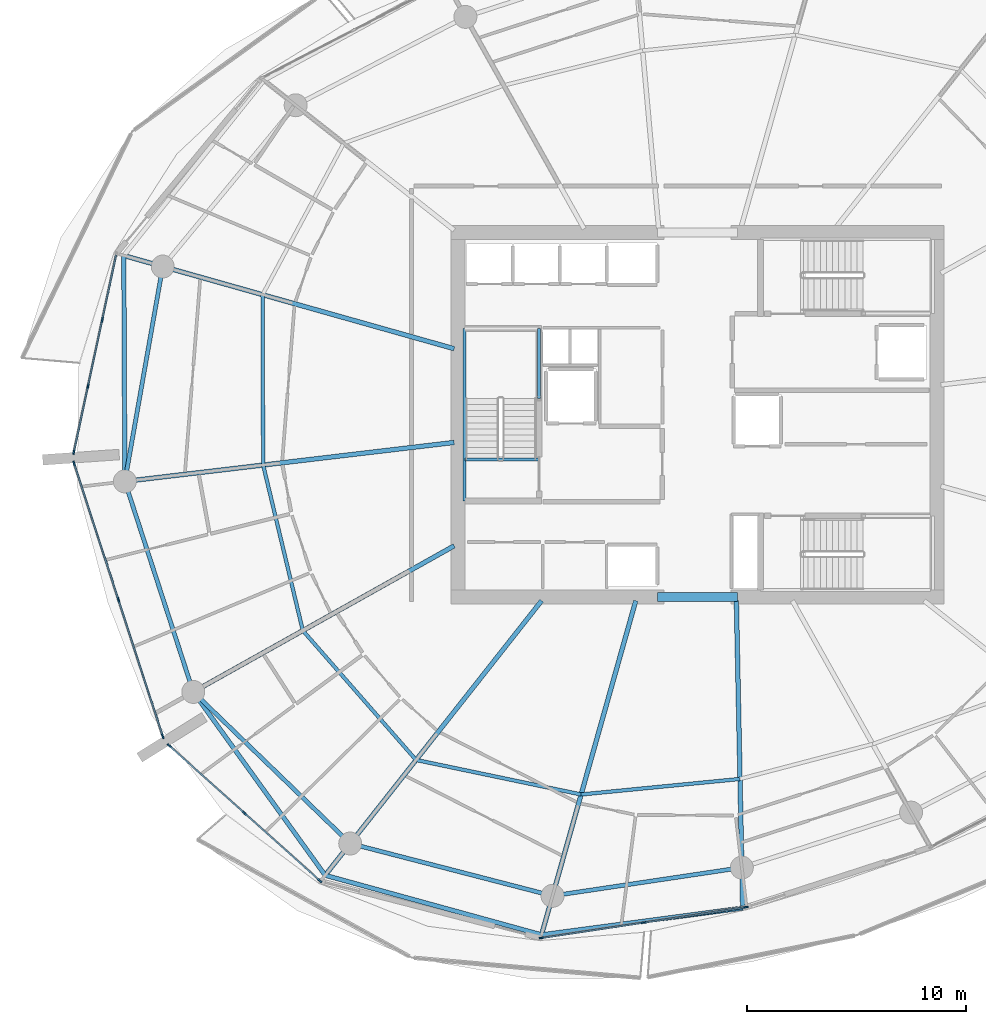
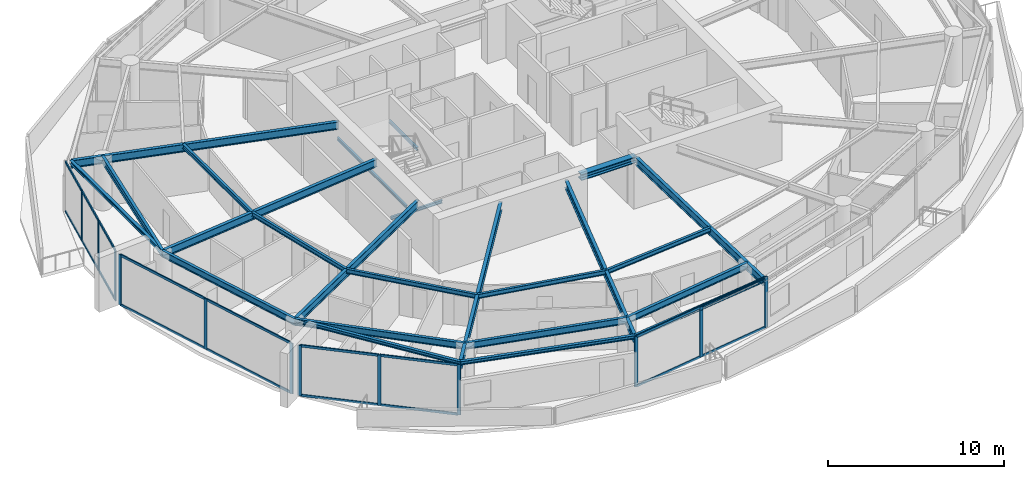
# One storey, part 5 of 21: 30 members, 24 beams, 4 elements without a shape of their own.
"""IFC4 building model written with IfcOpenShell, lengths in metres."""

from ifc_helpers import new_model, si_unit, direction, frame, origin, origin_2d, place, context, subcontext, project, spatial, rectangle, i_section, extrude, material, layer, layer_set, material_profile, profile_set, type_object, element, aggregate, save


model = new_model("IFC4")

# Units and contexts
model_context = context("Model", 3, precision=1e-05, world=origin(), true_north=direction((0.0, 1.0)))
body_context = subcontext(model_context, "Body", "Model", "MODEL_VIEW")
ifc_project = project(units=[si_unit("LENGTHUNIT", "METRE"), si_unit("AREAUNIT", "SQUARE_METRE"), si_unit("VOLUMEUNIT", "CUBIC_METRE"), si_unit("PLANEANGLEUNIT", "RADIAN"), si_unit("MASSUNIT", "GRAM", prefix="KILO")], contexts=[model_context])

# Site, building, storey
site_placement = place(None, origin())
site = spatial("IfcSite", under=ifc_project, at=site_placement, CompositionType="ELEMENT")
building_placement = place(site_placement, origin())
building = spatial("IfcBuilding", under=site, at=building_placement, Name="Kazma Halo Residences", CompositionType="ELEMENT")
storey_placement = place(building_placement, frame((0.0, 0.0, 195.300048828125)))
storey = spatial("IfcBuildingStorey", under=building, at=storey_placement, Name="L49", CompositionType="ELEMENT", Elevation=195.300048828125)

# Beams
ifc_material_1 = material(Name="Steel S355", Category="steel")
ifc_material_profile_1 = material_profile(ifc_material_1, i_section(OverallWidth=0.201904296875, OverallDepth=0.2470703125, WebThickness=0.00732421875, FlangeThickness=0.010986328125, FilletRadius=0.011962890625, at=origin_2d()), Name="W250x49.1")
ifc_profile_set_1 = profile_set([ifc_material_profile_1], Name="Steel S355")
beam_type_1 = type_object("IfcBeamType", Name="BM-BAL-CANT", PredefinedType="BEAM", material=ifc_profile_set_1)
for number, where, z_axis, x_axis, name in (
    (1, (22.19970703125, 49.276611328125, 3.37646484375), (0.004705663334, -0.999988928305, 0.0), (0.999988928305, 0.004705663334, 0.0), "L49 wave-balcony tie beam 07"),
    (2, (25.375, 29.329345703125, 3.37646484375), (0.583963922576, -0.811779611181, 0.0), (0.811779611181, 0.583963922576, 0.0), "L49 wave-balcony lead tie beam 09"),
):
    element("IfcBeam", number, at=place(storey_placement, frame(where, z_axis=z_axis, x_axis=x_axis)), inside=storey, type_object=beam_type_1, Name=name, PredefinedType="BEAM", context=body_context, shape_type="SweptSolid", body=[
        extrude(i_section(OverallWidth=0.201904296875, OverallDepth=0.2470703125, WebThickness=0.00732421875, FlangeThickness=0.010986328125, FilletRadius=0.011962890625, at=origin_2d()), origin(), (0.0, 0.0, 1.0), 10.324462890625),
    ])
beam_1_placement = place(storey_placement, frame((31.404052734375, 20.9482421875, 3.37646484375), z_axis=(0.964197026197, -0.265186905169, 0.0), x_axis=(0.265186905169, 0.964197026197, 0.0)))
element("IfcBeam", 3, at=beam_1_placement, inside=storey, type_object=beam_type_1, Name="L49 wave-balcony tie beam 10", PredefinedType="BEAM", context=body_context, shape_type="SweptSolid", body=[
    extrude(i_section(OverallWidth=0.201904296875, OverallDepth=0.2470703125, WebThickness=0.00732421875, FlangeThickness=0.010986328125, FilletRadius=0.011962890625, at=origin_2d()), origin(), (0.0, 0.0, 1.0), 10.258544921875),
])
beam_2_placement = place(storey_placement, frame((41.29541015625, 18.227783203125, 3.37646484375), z_axis=(0.99126671613, 0.131872277199, 0.0), x_axis=(-0.131872277199, 0.99126671613, 0.0)))
element("IfcBeam", 4, at=beam_2_placement, inside=storey, type_object=beam_type_1, Name="L49 wave-balcony tie beam 11", PredefinedType="BEAM", context=body_context, shape_type="SweptSolid", body=[
    extrude(i_section(OverallWidth=0.201904296875, OverallDepth=0.2470703125, WebThickness=0.00732421875, FlangeThickness=0.010986328125, FilletRadius=0.011962890625, at=origin_2d()), origin(), (0.0, 0.0, 1.0), 9.2734375),
])
ifc_material_profile_2 = material_profile(ifc_material_1, i_section(OverallWidth=0.408935546875, OverallDepth=0.425048828125, WebThickness=0.03271484375, FlangeThickness=0.052490234375, FilletRadius=0.02001953125, at=origin_2d()), Name="W360x421")
ifc_profile_set_2 = profile_set([ifc_material_profile_2], Name="Steel S355")
beam_type_2 = type_object("IfcBeamType", Name="BM-CORE-W360H", PredefinedType="BEAM", material=ifc_profile_set_2)
beam_3_placement = place(storey_placement, frame((46.60009765625, 33.675048828125, 3.287353515625), z_axis=(1.0, 0.0, 0.0), x_axis=(0.0, 1.0, 0.0)))
element("IfcBeam", 5, at=beam_3_placement, inside=storey, type_object=beam_type_2, Name="L49 core coupling beam S", PredefinedType="BEAM", context=body_context, shape_type="SweptSolid", body=[
    extrude(i_section(OverallWidth=0.408935546875, OverallDepth=0.425048828125, WebThickness=0.03271484375, FlangeThickness=0.052490234375, FilletRadius=0.02001953125, at=origin_2d()), origin(), (0.0, 0.0, 1.0), 3.64990234375),
])
ifc_material_profile_3 = material_profile(ifc_material_1, i_section(OverallWidth=0.208984375, OverallDepth=0.532958984375, WebThickness=0.01025390625, FlangeThickness=0.015625, FilletRadius=0.01611328125, at=origin_2d()), Name="W530x92")
ifc_profile_set_3 = profile_set([ifc_material_profile_3], Name="Steel S355")
beam_type_3 = type_object("IfcBeamType", Name="BM-RAD-W530", PredefinedType="BEAM", material=ifc_profile_set_3)
beam_4_placement = place(storey_placement, frame((37.300048828125, 45.017578125, 3.2333984375), z_axis=(-0.962450301448, 0.271457947467, 0.0), x_axis=(-0.271457947467, -0.962450301448, 0.0)))
element("IfcBeam", 6, at=beam_4_placement, inside=storey, type_object=beam_type_3, Name="L49 radial floor beam 07", PredefinedType="BEAM", context=body_context, shape_type="SweptSolid", body=[
    extrude(i_section(OverallWidth=0.208984375, OverallDepth=0.532958984375, WebThickness=0.01025390625, FlangeThickness=0.015625, FilletRadius=0.01611328125, at=origin_2d()), origin(), (0.0, 0.0, 1.0), 15.689453125),
])
beam_5_placement = place(storey_placement, frame((37.300048828125, 40.733642578125, 3.2333984375), z_axis=(-0.993068447674, -0.117537475875, 0.0), x_axis=(0.117537475875, -0.993068447674, 0.0)))
element("IfcBeam", 7, at=beam_5_placement, inside=storey, type_object=beam_type_3, Name="L49 radial floor beam 08", PredefinedType="BEAM", context=body_context, shape_type="SweptSolid", body=[
    extrude(i_section(OverallWidth=0.208984375, OverallDepth=0.532958984375, WebThickness=0.01025390625, FlangeThickness=0.015625, FilletRadius=0.01611328125, at=origin_2d()), origin(), (0.0, 0.0, 1.0), 15.15673828125),
])
beam_6_placement = place(storey_placement, frame((37.300048828125, 36.0078125, 3.2333984375), z_axis=(-0.872492308718, -0.488627845327, 0.0), x_axis=(0.488627845327, -0.872492308718, 0.0)))
element("IfcBeam", 8, at=beam_6_placement, inside=storey, type_object=beam_type_3, Name="L49 radial floor beam 09", PredefinedType="BEAM", context=body_context, shape_type="SweptSolid", body=[
    extrude(i_section(OverallWidth=0.208984375, OverallDepth=0.532958984375, WebThickness=0.01025390625, FlangeThickness=0.015625, FilletRadius=0.01611328125, at=origin_2d()), origin(), (0.0, 0.0, 1.0), 13.667724609375),
])
beam_7_placement = place(storey_placement, frame((41.299072265625, 33.5, 3.2333984375), z_axis=(-0.61909439419, -0.785316580165, 0.0), x_axis=(0.785316580165, -0.61909439419, 0.0)))
element("IfcBeam", 9, at=beam_7_placement, inside=storey, type_object=beam_type_3, Name="L49 radial floor beam 10", PredefinedType="BEAM", context=body_context, shape_type="SweptSolid", body=[
    extrude(i_section(OverallWidth=0.208984375, OverallDepth=0.532958984375, WebThickness=0.01025390625, FlangeThickness=0.015625, FilletRadius=0.01611328125, at=origin_2d()), origin(), (0.0, 0.0, 1.0), 15.983154296875),
])
beam_8_placement = place(storey_placement, frame((45.602783203125, 33.5, 3.2333984375), z_axis=(-0.271449932859, -0.962452561922, 0.0), x_axis=(0.962452561922, -0.271449932859, 0.0)))
element("IfcBeam", 10, at=beam_8_placement, inside=storey, type_object=beam_type_3, Name="L49 radial floor beam 11", PredefinedType="BEAM", context=body_context, shape_type="SweptSolid", body=[
    extrude(i_section(OverallWidth=0.208984375, OverallDepth=0.532958984375, WebThickness=0.01025390625, FlangeThickness=0.015625, FilletRadius=0.01611328125, at=origin_2d()), origin(), (0.0, 0.0, 1.0), 15.867919921875),
])
beam_9_placement = place(storey_placement, frame((50.199951171875, 33.5, 3.2333984375), z_axis=(0.020483658838, -0.99979018785, 0.0), x_axis=(0.99979018785, 0.020483658838, 0.0)))
element("IfcBeam", 11, at=beam_9_placement, inside=storey, type_object=beam_type_3, Name="L49 radial floor beam 12", PredefinedType="BEAM", context=body_context, shape_type="SweptSolid", body=[
    extrude(i_section(OverallWidth=0.208984375, OverallDepth=0.532958984375, WebThickness=0.01025390625, FlangeThickness=0.015625, FilletRadius=0.01611328125, at=origin_2d()), origin(), (0.0, 0.0, 1.0), 14.05224609375),
])
ifc_material_profile_4 = material_profile(ifc_material_1, i_section(OverallWidth=0.1650390625, OverallDepth=0.31005859375, WebThickness=0.005859375, FlangeThickness=0.009765625, FilletRadius=0.011962890625, at=origin_2d()), Name="W310x38.7")
ifc_profile_set_4 = profile_set([ifc_material_profile_4], Name="Steel S355")
beam_type_4 = type_object("IfcBeamType", Name="BM-SEC-W310B", PredefinedType="JOIST", material=ifc_profile_set_4)
beam_10_placement = place(storey_placement, frame((28.5419921875, 47.48779296875, 3.344970703125), z_axis=(0.003605218278, -0.999993501179, 0.0), x_axis=(0.999993501179, 0.003605218278, 0.0)))
element("IfcBeam", 12, at=beam_10_placement, inside=storey, type_object=beam_type_4, Name="L49 circumferential floor joist 07", PredefinedType="JOIST", context=body_context, shape_type="SweptSolid", body=[
    extrude(i_section(OverallWidth=0.1650390625, OverallDepth=0.31005859375, WebThickness=0.005859375, FlangeThickness=0.009765625, FilletRadius=0.011962890625, at=origin_2d()), origin(), (0.0, 0.0, 1.0), 7.78759765625),
])
beam_11_placement = place(storey_placement, frame((28.570068359375, 39.7001953125, 3.344970703125), z_axis=(0.233058429286, -0.972462733753, 0.0), x_axis=(0.972462733753, 0.233058429286, 0.0)))
element("IfcBeam", 13, at=beam_11_placement, inside=storey, type_object=beam_type_4, Name="L49 circumferential floor joist 08", PredefinedType="JOIST", context=body_context, shape_type="SweptSolid", body=[
    extrude(i_section(OverallWidth=0.1650390625, OverallDepth=0.31005859375, WebThickness=0.005859375, FlangeThickness=0.009765625, FilletRadius=0.011962890625, at=origin_2d()), origin(), (0.0, 0.0, 1.0), 7.7802734375),
])
beam_12_placement = place(storey_placement, frame((30.38330078125, 32.13427734375, 3.344970703125), z_axis=(0.658629944618, -0.75246700662, 0.0), x_axis=(0.75246700662, 0.658629944618, 0.0)))
element("IfcBeam", 14, at=beam_12_placement, inside=storey, type_object=beam_type_4, Name="L49 circumferential floor joist 09", PredefinedType="JOIST", context=body_context, shape_type="SweptSolid", body=[
    extrude(i_section(OverallWidth=0.1650390625, OverallDepth=0.31005859375, WebThickness=0.005859375, FlangeThickness=0.009765625, FilletRadius=0.011962890625, at=origin_2d()), origin(), (0.0, 0.0, 1.0), 7.85986328125),
])
beam_13_placement = place(storey_placement, frame((35.56005859375, 26.219970703125, 3.344970703125), z_axis=(0.978821484976, -0.204715657802, 0.0), x_axis=(0.204715657802, 0.978821484976, 0.0)))
element("IfcBeam", 15, at=beam_13_placement, inside=storey, type_object=beam_type_4, Name="L49 circumferential floor joist 10", PredefinedType="JOIST", context=body_context, shape_type="SweptSolid", body=[
    extrude(i_section(OverallWidth=0.1650390625, OverallDepth=0.31005859375, WebThickness=0.005859375, FlangeThickness=0.009765625, FilletRadius=0.011962890625, at=origin_2d()), origin(), (0.0, 0.0, 1.0), 7.707763671875),
])
beam_14_placement = place(storey_placement, frame((43.1044921875, 24.64208984375, 3.344970703125), z_axis=(0.995262165401, 0.097227681872, 0.0), x_axis=(-0.097227681872, 0.995262165401, 0.0)))
element("IfcBeam", 16, at=beam_14_placement, inside=storey, type_object=beam_type_4, Name="L49 circumferential floor joist 11", PredefinedType="JOIST", context=body_context, shape_type="SweptSolid", body=[
    extrude(i_section(OverallWidth=0.1650390625, OverallDepth=0.31005859375, WebThickness=0.005859375, FlangeThickness=0.009765625, FilletRadius=0.011962890625, at=origin_2d()), origin(), (0.0, 0.0, 1.0), 7.297119140625),
])
ifc_material_profile_5 = material_profile(ifc_material_1, i_section(OverallWidth=0.18994140625, OverallDepth=0.45703125, WebThickness=0.009033203125, FlangeThickness=0.014404296875, FilletRadius=0.01611328125, at=origin_2d()), Name="W460x74")
ifc_profile_set_5 = profile_set([ifc_material_profile_5], Name="Steel S355")
beam_type_5 = type_object("IfcBeamType", Name="BM-SPN-W460", PredefinedType="BEAM", material=ifc_profile_set_5)
beam_15_placement = place(storey_placement, frame((23.980224609375, 48.7744140625, 3.271484375), z_axis=(-0.173648484202, -0.984807698962, 0.0), x_axis=(0.984807698962, -0.173648484202, 0.0)))
element("IfcBeam", 17, at=beam_15_placement, inside=storey, type_object=beam_type_5, Name="L49 perimeter ring beam 07", PredefinedType="BEAM", context=body_context, shape_type="SweptSolid", body=[
    extrude(i_section(OverallWidth=0.18994140625, OverallDepth=0.45703125, WebThickness=0.009033203125, FlangeThickness=0.014404296875, FilletRadius=0.01611328125, at=origin_2d()), origin(), (0.0, 0.0, 1.0), 9.973876953125),
])
beam_16_placement = place(storey_placement, frame((22.248291015625, 38.9521484375, 3.271484375), z_axis=(0.309023327426, -0.951054458539, 0.0), x_axis=(0.951054458539, 0.309023327426, 0.0)))
element("IfcBeam", 18, at=beam_16_placement, inside=storey, type_object=beam_type_5, Name="L49 perimeter ring beam 08", PredefinedType="BEAM", context=body_context, shape_type="SweptSolid", body=[
    extrude(i_section(OverallWidth=0.18994140625, OverallDepth=0.45703125, WebThickness=0.009033203125, FlangeThickness=0.014404296875, FilletRadius=0.01611328125, at=origin_2d()), origin(), (0.0, 0.0, 1.0), 10.117919921875),
])
beam_17_placement = place(storey_placement, frame((25.375, 29.329345703125, 3.271484375), z_axis=(0.71933650181, -0.694661786169, 0.0), x_axis=(0.694661786169, 0.71933650181, 0.0)))
element("IfcBeam", 19, at=beam_17_placement, inside=storey, type_object=beam_type_5, Name="L49 perimeter ring beam 09", PredefinedType="BEAM", context=body_context, shape_type="SweptSolid", body=[
    extrude(i_section(OverallWidth=0.18994140625, OverallDepth=0.45703125, WebThickness=0.009033203125, FlangeThickness=0.014404296875, FilletRadius=0.01611328125, at=origin_2d()), origin(), (0.0, 0.0, 1.0), 9.9736328125),
])
beam_18_placement = place(storey_placement, frame((32.54931640625, 22.401123046875, 3.271484375), z_axis=(0.968120950739, -0.25048318255, 0.0), x_axis=(0.25048318255, 0.968120950739, 0.0)))
element("IfcBeam", 20, at=beam_18_placement, inside=storey, type_object=beam_type_5, Name="L49 perimeter ring beam 10", PredefinedType="BEAM", context=body_context, shape_type="SweptSolid", body=[
    extrude(i_section(OverallWidth=0.18994140625, OverallDepth=0.45703125, WebThickness=0.009033203125, FlangeThickness=0.014404296875, FilletRadius=0.01611328125, at=origin_2d()), origin(), (0.0, 0.0, 1.0), 9.552734375),
])
beam_19_placement = place(storey_placement, frame((41.797607421875, 20.00830078125, 3.271484375), z_axis=(0.98903439143, 0.147685383732, 0.0), x_axis=(-0.147685383732, 0.98903439143, 0.0)))
element("IfcBeam", 21, at=beam_19_placement, inside=storey, type_object=beam_type_5, Name="L49 perimeter ring beam 11", PredefinedType="BEAM", context=body_context, shape_type="SweptSolid", body=[
    extrude(i_section(OverallWidth=0.18994140625, OverallDepth=0.45703125, WebThickness=0.009033203125, FlangeThickness=0.014404296875, FilletRadius=0.01611328125, at=origin_2d()), origin(), (0.0, 0.0, 1.0), 8.748291015625),
])
ifc_material_profile_6 = material_profile(ifc_material_1, i_section(OverallWidth=0.133056640625, OverallDepth=0.20703125, WebThickness=0.005859375, FlangeThickness=0.00830078125, FilletRadius=0.010009765625, at=origin_2d()), Name="W200x26.6")
ifc_profile_set_6 = profile_set([ifc_material_profile_6], Name="Steel S355")
beam_type_6 = type_object("IfcBeamType", Name="BM-TRIM-W200", PredefinedType="BEAM", material=ifc_profile_set_6)
beam_20_placement = place(storey_placement, frame((37.800048828125, 39.949951171875, -0.360107421875), z_axis=(1.0, 0.0, 0.0), x_axis=(0.0, 1.0, 0.0)))
element("IfcBeam", 22, at=beam_20_placement, inside=storey, type_object=beam_type_6, Name="L49 ST-01 floor landing support beam", PredefinedType="BEAM", context=body_context, shape_type="SweptSolid", body=[
    extrude(i_section(OverallWidth=0.133056640625, OverallDepth=0.20703125, WebThickness=0.005859375, FlangeThickness=0.00830078125, FilletRadius=0.010009765625, at=origin_2d()), origin(), (0.0, 0.0, 1.0), 3.3798828125),
])
beam_21_placement = place(storey_placement, frame((37.780029296875, 38.06005859375, 1.570068359375), z_axis=(0.0, 1.0, 0.0), x_axis=(-1.0, 0.0, 0.0)))
element("IfcBeam", 23, at=beam_21_placement, inside=storey, type_object=beam_type_6, Name="L49 ST-01 landing west wall ledger", PredefinedType="BEAM", context=body_context, shape_type="SweptSolid", body=[
    extrude(i_section(OverallWidth=0.133056640625, OverallDepth=0.20703125, WebThickness=0.005859375, FlangeThickness=0.00830078125, FilletRadius=0.010009765625, at=origin_2d()), origin(), (0.0, 0.0, 1.0), 7.8798828125),
])
beam_22_placement = place(storey_placement, frame((41.179931640625, 42.75, 1.570068359375), z_axis=(0.0, 1.0, 0.0), x_axis=(-1.0, 0.0, 0.0)))
element("IfcBeam", 24, at=beam_22_placement, inside=storey, type_object=beam_type_6, Name="L49 ST-01 landing east wall ledger", PredefinedType="BEAM", context=body_context, shape_type="SweptSolid", body=[
    extrude(i_section(OverallWidth=0.133056640625, OverallDepth=0.20703125, WebThickness=0.005859375, FlangeThickness=0.00830078125, FilletRadius=0.010009765625, at=origin_2d()), origin(), (0.0, 0.0, 1.0), 3.18994140625),
])

# Curtain wall, members
ifc_material_2 = material(Name="Aluminium AW-6063 T6 and Triple-Silver Low-E Glass", Category="aluminium")
ifc_layer = layer(ifc_material_2, 0.219970703125)
ifc_layer_set = layer_set([ifc_layer], Name="Aluminium AW-6063 T6 and Triple-Silver Low-E Glass")
curtain_wall_type = type_object("IfcCurtainWallType", Name="CW-SYS-4", PredefinedType="NOTDEFINED", material=ifc_layer_set)
curtain_wall_1_placement = place(storey_placement, origin())
curtain_wall_1 = element("IfcCurtainWall", 25, at=curtain_wall_1_placement, inside=storey, type_object=curtain_wall_type, Name="L49 unitised curtain wall B07", PredefinedType="NOTDEFINED")
ifc_material_3 = material(Name="Aluminium AW-6063 T6", Category="aluminium")
ifc_material_profile_7 = material_profile(ifc_material_3, rectangle(XDim=0.074951171875, YDim=0.219970703125, at=origin_2d()), Name="CWM-75x220")
ifc_profile_set_7 = profile_set([ifc_material_profile_7], Name="Aluminium AW-6063 T6")
member_type_1 = type_object("IfcMemberType", Name="CW-SYS-4-MUL", PredefinedType="MULLION", material=ifc_profile_set_7)
member_1_placement = place(storey_placement, frame((21.212890625, 46.3330078125, 0.0), z_axis=(0.0, 0.0, 1.0), x_axis=(0.977768017212, -0.209689543175, 0.0)))
member_1 = element("IfcMember", 26, at=member_1_placement, type_object=member_type_1, Name="CWS-4 mullion 2", PredefinedType="MULLION", context=body_context, shape_type="SweptSolid", body=[
    extrude(rectangle(XDim=0.074951171875, YDim=0.219970703125, at=origin_2d()), origin(), (0.0, 0.0, 1.0), 3.5),
])
member_2_placement = place(storey_placement, frame((20.561279296875, 43.295166015625, 0.0), z_axis=(0.0, 0.0, 1.0), x_axis=(0.977768017212, -0.209689543175, 0.0)))
member_2 = element("IfcMember", 27, at=member_2_placement, type_object=member_type_1, Name="CWS-4 mullion 3", PredefinedType="MULLION", context=body_context, shape_type="SweptSolid", body=[
    extrude(rectangle(XDim=0.074951171875, YDim=0.219970703125, at=origin_2d()), origin(), (0.0, 0.0, 1.0), 3.5),
])
member_3_placement = place(storey_placement, frame((19.917724609375, 40.2939453125, 0.0), z_axis=(0.0, 0.0, 1.0), x_axis=(0.977768017212, -0.209689543175, 0.0)))
member_3 = element("IfcMember", 28, at=member_3_placement, type_object=member_type_1, Name="CWS-4 mullion 4", PredefinedType="MULLION", context=body_context, shape_type="SweptSolid", body=[
    extrude(rectangle(XDim=0.074951171875, YDim=0.219970703125, at=origin_2d()), origin(), (0.0, 0.0, 1.0), 3.5),
])

curtain_wall_2_placement = place(storey_placement, origin())
curtain_wall_2 = element("IfcCurtainWall", 29, at=curtain_wall_2_placement, inside=storey, type_object=curtain_wall_type, Name="L49 unitised curtain wall B08", PredefinedType="NOTDEFINED")
member_4_placement = place(storey_placement, frame((19.9287109375, 39.77880859375, 0.0), z_axis=(0.0, 0.0, 1.0), x_axis=(0.951056893636, 0.309015833038, 0.0)))
member_4 = element("IfcMember", 30, at=member_4_placement, type_object=member_type_1, Name="CWS-4 mullion 1", PredefinedType="MULLION", context=body_context, shape_type="SweptSolid", body=[
    extrude(rectangle(XDim=0.074951171875, YDim=0.219970703125, at=origin_2d()), origin(), (0.0, 0.0, 1.0), 3.5),
])
member_5_placement = place(storey_placement, frame((21.95654296875, 33.5380859375, 0.0), z_axis=(0.0, 0.0, 1.0), x_axis=(0.951056893636, 0.309015833038, 0.0)))
member_5 = element("IfcMember", 31, at=member_5_placement, type_object=member_type_1, Name="CWS-4 mullion 2", PredefinedType="MULLION", context=body_context, shape_type="SweptSolid", body=[
    extrude(rectangle(XDim=0.074951171875, YDim=0.219970703125, at=origin_2d()), origin(), (0.0, 0.0, 1.0), 3.5),
])
member_6_placement = place(storey_placement, frame((23.984375, 27.297119140625, 0.0), z_axis=(0.0, 0.0, 1.0), x_axis=(0.951056893636, 0.309015833038, 0.0)))
member_6 = element("IfcMember", 32, at=member_6_placement, type_object=member_type_1, Name="CWS-4 mullion 3", PredefinedType="MULLION", context=body_context, shape_type="SweptSolid", body=[
    extrude(rectangle(XDim=0.074951171875, YDim=0.219970703125, at=origin_2d()), origin(), (0.0, 0.0, 1.0), 3.5),
])

curtain_wall_3_placement = place(storey_placement, origin())
curtain_wall_3 = element("IfcCurtainWall", 33, at=curtain_wall_3_placement, inside=storey, type_object=curtain_wall_type, Name="L49 unitised curtain wall B09", PredefinedType="NOTDEFINED")
member_7_placement = place(storey_placement, frame((24.2783203125, 26.873779296875, 0.0), z_axis=(0.0, 0.0, 1.0), x_axis=(0.667784328806, 0.744354814723, 0.0)))
member_7 = element("IfcMember", 34, at=member_7_placement, type_object=member_type_1, Name="CWS-4 mullion 1", PredefinedType="MULLION", context=body_context, shape_type="SweptSolid", body=[
    extrude(rectangle(XDim=0.074951171875, YDim=0.219970703125, at=origin_2d()), origin(), (0.0, 0.0, 1.0), 3.5),
])
member_8_placement = place(storey_placement, frame((27.719482421875, 23.786865234375, 0.0), z_axis=(0.0, 0.0, 1.0), x_axis=(0.667784328806, 0.744354814723, 0.0)))
member_8 = element("IfcMember", 35, at=member_8_placement, type_object=member_type_1, Name="CWS-4 mullion 2", PredefinedType="MULLION", context=body_context, shape_type="SweptSolid", body=[
    extrude(rectangle(XDim=0.074951171875, YDim=0.219970703125, at=origin_2d()), origin(), (0.0, 0.0, 1.0), 3.5),
])
member_9_placement = place(storey_placement, frame((31.160400390625, 20.69970703125, 0.0), z_axis=(0.0, 0.0, 1.0), x_axis=(0.667784328806, 0.744354814723, 0.0)))
member_9 = element("IfcMember", 36, at=member_9_placement, type_object=member_type_1, Name="CWS-4 mullion 3", PredefinedType="MULLION", context=body_context, shape_type="SweptSolid", body=[
    extrude(rectangle(XDim=0.074951171875, YDim=0.219970703125, at=origin_2d()), origin(), (0.0, 0.0, 1.0), 3.5),
])

curtain_wall_4_placement = place(storey_placement, origin())
curtain_wall_4 = element("IfcCurtainWall", 37, at=curtain_wall_4_placement, inside=storey, type_object=curtain_wall_type, Name="L49 unitised curtain wall B11", PredefinedType="NOTDEFINED")
member_10_placement = place(storey_placement, frame((41.291259765625, 18.086669921875, 0.0), z_axis=(0.0, 0.0, 1.0), x_axis=(-0.148772639188, 0.988871428361, 0.0)))
member_10 = element("IfcMember", 38, at=member_10_placement, type_object=member_type_1, Name="CWS-4 mullion 1", PredefinedType="MULLION", context=body_context, shape_type="SweptSolid", body=[
    extrude(rectangle(XDim=0.074951171875, YDim=0.219970703125, at=origin_2d()), origin(), (0.0, 0.0, 1.0), 3.5),
])
member_11_placement = place(storey_placement, frame((45.958740234375, 18.788818359375, 0.0), z_axis=(0.0, 0.0, 1.0), x_axis=(-0.148772639188, 0.988871428361, 0.0)))
member_11 = element("IfcMember", 39, at=member_11_placement, type_object=member_type_1, Name="CWS-4 mullion 2", PredefinedType="MULLION", context=body_context, shape_type="SweptSolid", body=[
    extrude(rectangle(XDim=0.074951171875, YDim=0.219970703125, at=origin_2d()), origin(), (0.0, 0.0, 1.0), 3.5),
])
member_12_placement = place(storey_placement, frame((50.626220703125, 19.490966796875, 0.0), z_axis=(0.0, 0.0, 1.0), x_axis=(-0.148772639188, 0.988871428361, 0.0)))
member_12 = element("IfcMember", 40, at=member_12_placement, type_object=member_type_1, Name="CWS-4 mullion 3", PredefinedType="MULLION", context=body_context, shape_type="SweptSolid", body=[
    extrude(rectangle(XDim=0.074951171875, YDim=0.219970703125, at=origin_2d()), origin(), (0.0, 0.0, 1.0), 3.5),
])

# Member
ifc_material_profile_8 = material_profile(ifc_material_3, rectangle(XDim=0.074951171875, YDim=0.1650390625, at=origin_2d()), Name="CWT-75x165")
ifc_profile_set_8 = profile_set([ifc_material_profile_8], Name="Aluminium AW-6063 T6")
member_type_2 = type_object("IfcMemberType", Name="CW-SYS-4-TRN", PredefinedType="USERDEFINED", material=ifc_profile_set_8)
member_13_placement = place(storey_placement, frame((21.8486328125, 49.297607421875, 0.037353515625), z_axis=(-0.209707268418, -0.977764215735, 0.0), x_axis=(0.977764215735, -0.209707268418, 0.0)))
member_13 = element("IfcMember", 41, at=member_13_placement, type_object=member_type_2, Name="CWS-4 transom 1.1", ObjectType="TRANSOM", PredefinedType="USERDEFINED", context=body_context, shape_type="SweptSolid", body=[
    extrude(rectangle(XDim=0.074951171875, YDim=0.1650390625, at=origin_2d()), origin(), (0.0, 0.0, 1.0), 2.994384765625),
])

member_14_placement = place(storey_placement, frame((21.8486328125, 49.297607421875, 3.46240234375), z_axis=(-0.209707268418, -0.977764215735, 0.0), x_axis=(0.977764215735, -0.209707268418, 0.0)))
member_14 = element("IfcMember", 42, at=member_14_placement, type_object=member_type_2, Name="CWS-4 transom 1.2", ObjectType="TRANSOM", PredefinedType="USERDEFINED", context=body_context, shape_type="SweptSolid", body=[
    extrude(rectangle(XDim=0.074951171875, YDim=0.1650390625, at=origin_2d()), origin(), (0.0, 0.0, 1.0), 2.994384765625),
])

member_15_placement = place(storey_placement, frame((21.205078125, 46.29638671875, 0.037353515625), z_axis=(-0.209677559804, -0.977770587057, 0.0), x_axis=(0.977770587057, -0.209677559804, 0.0)))
member_15 = element("IfcMember", 43, at=member_15_placement, type_object=member_type_2, Name="CWS-4 transom 2.1", ObjectType="TRANSOM", PredefinedType="USERDEFINED", context=body_context, shape_type="SweptSolid", body=[
    extrude(rectangle(XDim=0.074951171875, YDim=0.1650390625, at=origin_2d()), origin(), (0.0, 0.0, 1.0), 3.031982421875),
])

member_16_placement = place(storey_placement, frame((21.205078125, 46.29638671875, 3.46240234375), z_axis=(-0.209677559804, -0.977770587057, 0.0), x_axis=(0.977770587057, -0.209677559804, 0.0)))
member_16 = element("IfcMember", 44, at=member_16_placement, type_object=member_type_2, Name="CWS-4 transom 2.2", ObjectType="TRANSOM", PredefinedType="USERDEFINED", context=body_context, shape_type="SweptSolid", body=[
    extrude(rectangle(XDim=0.074951171875, YDim=0.1650390625, at=origin_2d()), origin(), (0.0, 0.0, 1.0), 3.031982421875),
])

member_17_placement = place(storey_placement, frame((20.553466796875, 43.258544921875, 0.037353515625), z_axis=(-0.209690551496, -0.97776780097, 0.0), x_axis=(0.97776780097, -0.209690551496, 0.0)))
member_17 = element("IfcMember", 45, at=member_17_placement, type_object=member_type_2, Name="CWS-4 transom 3.1", ObjectType="TRANSOM", PredefinedType="USERDEFINED", context=body_context, shape_type="SweptSolid", body=[
    extrude(rectangle(XDim=0.074951171875, YDim=0.1650390625, at=origin_2d()), origin(), (0.0, 0.0, 1.0), 2.99462890625),
])

member_18_placement = place(storey_placement, frame((20.553466796875, 43.258544921875, 3.46240234375), z_axis=(-0.209690551496, -0.97776780097, 0.0), x_axis=(0.97776780097, -0.209690551496, 0.0)))
member_18 = element("IfcMember", 46, at=member_18_placement, type_object=member_type_2, Name="CWS-4 transom 3.2", ObjectType="TRANSOM", PredefinedType="USERDEFINED", context=body_context, shape_type="SweptSolid", body=[
    extrude(rectangle(XDim=0.074951171875, YDim=0.1650390625, at=origin_2d()), origin(), (0.0, 0.0, 1.0), 2.99462890625),
])

aggregate(curtain_wall_1, [member_1, member_2, member_3, member_13, member_14, member_15, member_16, member_17, member_18])

member_19_placement = place(storey_placement, frame((19.9404296875, 39.7431640625, 0.037353515625), z_axis=(0.30902650142, -0.951053427217, 0.0), x_axis=(0.951053427217, 0.30902650142, 0.0)))
member_19 = element("IfcMember", 47, at=member_19_placement, type_object=member_type_2, Name="CWS-4 transom 1.1", ObjectType="TRANSOM", PredefinedType="USERDEFINED", context=body_context, shape_type="SweptSolid", body=[
    extrude(rectangle(XDim=0.074951171875, YDim=0.1650390625, at=origin_2d()), origin(), (0.0, 0.0, 1.0), 6.487060546875),
])

member_20_placement = place(storey_placement, frame((19.9404296875, 39.7431640625, 3.46240234375), z_axis=(0.30902650142, -0.951053427217, 0.0), x_axis=(0.951053427217, 0.30902650142, 0.0)))
member_20 = element("IfcMember", 48, at=member_20_placement, type_object=member_type_2, Name="CWS-4 transom 1.2", ObjectType="TRANSOM", PredefinedType="USERDEFINED", context=body_context, shape_type="SweptSolid", body=[
    extrude(rectangle(XDim=0.074951171875, YDim=0.1650390625, at=origin_2d()), origin(), (0.0, 0.0, 1.0), 6.487060546875),
])

member_21_placement = place(storey_placement, frame((21.968017578125, 33.50244140625, 0.037353515625), z_axis=(0.309015440644, -0.951057021132, 0.0), x_axis=(0.951057021132, 0.309015440644, 0.0)))
member_21 = element("IfcMember", 49, at=member_21_placement, type_object=member_type_2, Name="CWS-4 transom 2.1", ObjectType="TRANSOM", PredefinedType="USERDEFINED", context=body_context, shape_type="SweptSolid", body=[
    extrude(rectangle(XDim=0.074951171875, YDim=0.1650390625, at=origin_2d()), origin(), (0.0, 0.0, 1.0), 6.487060546875),
])

member_22_placement = place(storey_placement, frame((21.968017578125, 33.50244140625, 3.46240234375), z_axis=(0.309015440644, -0.951057021132, 0.0), x_axis=(0.951057021132, 0.309015440644, 0.0)))
member_22 = element("IfcMember", 50, at=member_22_placement, type_object=member_type_2, Name="CWS-4 transom 2.2", ObjectType="TRANSOM", PredefinedType="USERDEFINED", context=body_context, shape_type="SweptSolid", body=[
    extrude(rectangle(XDim=0.074951171875, YDim=0.1650390625, at=origin_2d()), origin(), (0.0, 0.0, 1.0), 6.487060546875),
])

aggregate(curtain_wall_2, [member_4, member_5, member_6, member_19, member_20, member_21, member_22])

member_23_placement = place(storey_placement, frame((24.30615234375, 26.848876953125, 0.037353515625), z_axis=(0.744344906673, -0.667795372783, 0.0), x_axis=(0.667795372783, 0.744344906673, 0.0)))
member_23 = element("IfcMember", 51, at=member_23_placement, type_object=member_type_2, Name="CWS-4 transom 1.1", ObjectType="TRANSOM", PredefinedType="USERDEFINED", context=body_context, shape_type="SweptSolid", body=[
    extrude(rectangle(XDim=0.074951171875, YDim=0.1650390625, at=origin_2d()), origin(), (0.0, 0.0, 1.0), 4.5478515625),
])

member_24_placement = place(storey_placement, frame((24.30615234375, 26.848876953125, 3.46240234375), z_axis=(0.744344906673, -0.667795372783, 0.0), x_axis=(0.667795372783, 0.744344906673, 0.0)))
member_24 = element("IfcMember", 52, at=member_24_placement, type_object=member_type_2, Name="CWS-4 transom 1.2", ObjectType="TRANSOM", PredefinedType="USERDEFINED", context=body_context, shape_type="SweptSolid", body=[
    extrude(rectangle(XDim=0.074951171875, YDim=0.1650390625, at=origin_2d()), origin(), (0.0, 0.0, 1.0), 4.5478515625),
])

member_25_placement = place(storey_placement, frame((27.747314453125, 23.76171875, 0.037353515625), z_axis=(0.744344906673, -0.667795372783, 0.0), x_axis=(0.667795372783, 0.744344906673, 0.0)))
member_25 = element("IfcMember", 53, at=member_25_placement, type_object=member_type_2, Name="CWS-4 transom 2.1", ObjectType="TRANSOM", PredefinedType="USERDEFINED", context=body_context, shape_type="SweptSolid", body=[
    extrude(rectangle(XDim=0.074951171875, YDim=0.1650390625, at=origin_2d()), origin(), (0.0, 0.0, 1.0), 4.5478515625),
])

member_26_placement = place(storey_placement, frame((27.747314453125, 23.76171875, 3.46240234375), z_axis=(0.744344906673, -0.667795372783, 0.0), x_axis=(0.667795372783, 0.744344906673, 0.0)))
member_26 = element("IfcMember", 54, at=member_26_placement, type_object=member_type_2, Name="CWS-4 transom 2.2", ObjectType="TRANSOM", PredefinedType="USERDEFINED", context=body_context, shape_type="SweptSolid", body=[
    extrude(rectangle(XDim=0.074951171875, YDim=0.1650390625, at=origin_2d()), origin(), (0.0, 0.0, 1.0), 4.5478515625),
])

aggregate(curtain_wall_3, [member_7, member_8, member_9, member_23, member_24, member_25, member_26])

member_27_placement = place(storey_placement, frame((41.328369140625, 18.092041015625, 0.037353515625), z_axis=(0.988867623216, 0.148797929272, 0.0), x_axis=(-0.148797929272, 0.988867623216, 0.0)))
member_27 = element("IfcMember", 55, at=member_27_placement, type_object=member_type_2, Name="CWS-4 transom 1.1", ObjectType="TRANSOM", PredefinedType="USERDEFINED", context=body_context, shape_type="SweptSolid", body=[
    extrude(rectangle(XDim=0.074951171875, YDim=0.1650390625, at=origin_2d()), origin(), (0.0, 0.0, 1.0), 4.64501953125),
])

member_28_placement = place(storey_placement, frame((41.328369140625, 18.092041015625, 3.46240234375), z_axis=(0.988867623216, 0.148797929272, 0.0), x_axis=(-0.148797929272, 0.988867623216, 0.0)))
member_28 = element("IfcMember", 56, at=member_28_placement, type_object=member_type_2, Name="CWS-4 transom 1.2", ObjectType="TRANSOM", PredefinedType="USERDEFINED", context=body_context, shape_type="SweptSolid", body=[
    extrude(rectangle(XDim=0.074951171875, YDim=0.1650390625, at=origin_2d()), origin(), (0.0, 0.0, 1.0), 4.64501953125),
])

member_29_placement = place(storey_placement, frame((45.995849609375, 18.79443359375, 0.037353515625), z_axis=(0.988876518566, 0.148738801357, 0.0), x_axis=(-0.148738801357, 0.988876518566, 0.0)))
member_29 = element("IfcMember", 57, at=member_29_placement, type_object=member_type_2, Name="CWS-4 transom 2.1", ObjectType="TRANSOM", PredefinedType="USERDEFINED", context=body_context, shape_type="SweptSolid", body=[
    extrude(rectangle(XDim=0.074951171875, YDim=0.1650390625, at=origin_2d()), origin(), (0.0, 0.0, 1.0), 4.645263671875),
])

member_30_placement = place(storey_placement, frame((45.995849609375, 18.79443359375, 3.46240234375), z_axis=(0.988876518566, 0.148738801357, 0.0), x_axis=(-0.148738801357, 0.988876518566, 0.0)))
member_30 = element("IfcMember", 58, at=member_30_placement, type_object=member_type_2, Name="CWS-4 transom 2.2", ObjectType="TRANSOM", PredefinedType="USERDEFINED", context=body_context, shape_type="SweptSolid", body=[
    extrude(rectangle(XDim=0.074951171875, YDim=0.1650390625, at=origin_2d()), origin(), (0.0, 0.0, 1.0), 4.645263671875),
])

aggregate(curtain_wall_4, [member_10, member_11, member_12, member_27, member_28, member_29, member_30])

save(model, "model.ifc")
